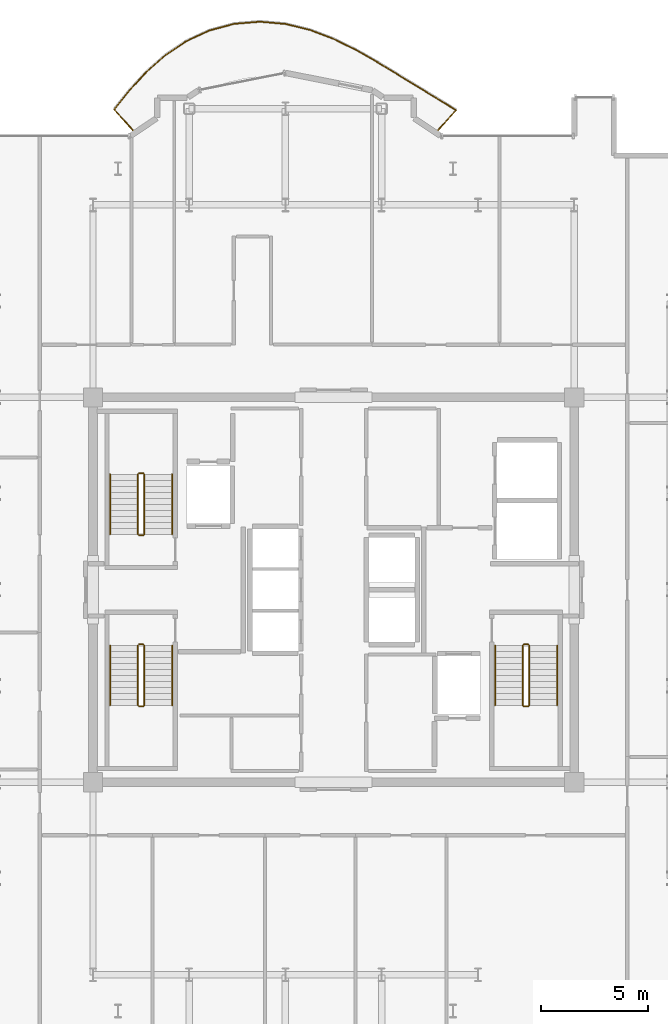
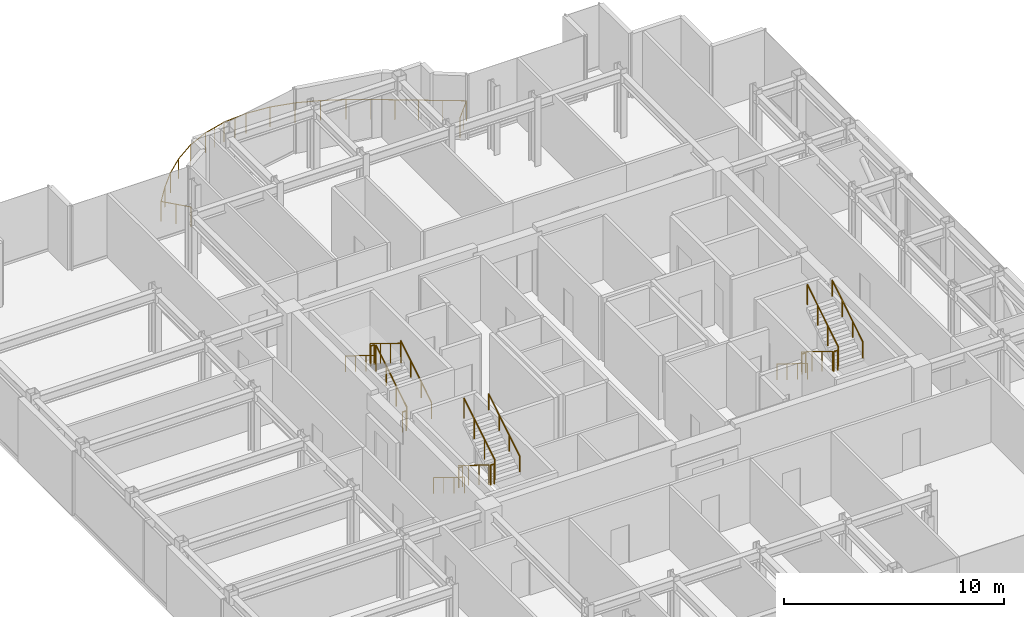
# One storey, part 16 of 16: 19 railings.
"""IFC4 building model written with IfcOpenShell, lengths in metres."""

from ifc_helpers import new_model, si_unit, direction, frame, origin, origin_2d, place, context, subcontext, project, spatial, circle, extrude, material, type_object, element, save


model = new_model("IFC4")

# Units and contexts
model_context = context("Model", 3, precision=1e-05, world=origin(), true_north=direction((0.0, 1.0)))
body_context = subcontext(model_context, "Body", "Model", "MODEL_VIEW")
ifc_project = project(units=[si_unit("LENGTHUNIT", "METRE"), si_unit("AREAUNIT", "SQUARE_METRE"), si_unit("VOLUMEUNIT", "CUBIC_METRE"), si_unit("PLANEANGLEUNIT", "RADIAN"), si_unit("MASSUNIT", "GRAM", prefix="KILO")], contexts=[model_context])

# Site, building, storey
site_placement = place(None, origin())
site = spatial("IfcSite", under=ifc_project, at=site_placement, CompositionType="ELEMENT")
building_placement = place(site_placement, origin())
building = spatial("IfcBuilding", under=site, at=building_placement, Name="Nefas-Gora Pilgrimage Tower", CompositionType="ELEMENT")
storey_placement = place(building_placement, frame((0.0, 0.0, 322.39990234375)))
storey = spatial("IfcBuildingStorey", under=building, at=storey_placement, Name="L81", CompositionType="ELEMENT", Elevation=322.39990234375)

# Railings
ifc_material_1 = material(Name="Laminated safety glass and stainless steel", Category="steel")
railing_type_1 = type_object("IfcRailingType", Name="RLG-BAL-1100", PredefinedType="BALUSTRADE", material=ifc_material_1)
railing_1_placement = place(storey_placement, frame((4.802490234375, 21.402587890625, 0.0)))
element("IfcRailing", 1, at=railing_1_placement, inside=storey, type_object=railing_type_1, Name="L81 Wave Balcony Balustrade N1", PredefinedType="BALUSTRADE", context=body_context, shape_type="SweptSolid", body=[
    extrude(circle(Radius=0.02392578125, at=origin_2d()), frame((0.0, 0.0, 1.09619140625), z_axis=(0.669217868333, 0.743066245165, 0.0), x_axis=(-0.743066245165, 0.669217868333, 0.0)), (0.0, 0.0, 1.0), 1.38525390625),
    extrude(circle(Radius=0.02392578125, at=origin_2d()), frame((0.927001953125, 1.029296875, 1.09619140625), z_axis=(-0.852658885571, 0.522468013238, 0.0), x_axis=(-0.522468013238, -0.852658885571, 0.0)), (0.0, 0.0, 1.0), 1.095703125),
    extrude(circle(Radius=0.02392578125, at=origin_2d()), frame((-0.00732421875, 1.601806640625, 1.09619140625), z_axis=(-0.855124780813, 0.518422230657, 0.0), x_axis=(-0.518422230657, -0.855124780813, 0.0)), (0.0, 0.0, 1.0), 1.077392578125),
    extrude(circle(Radius=0.02392578125, at=origin_2d()), frame((-0.9287109375, 2.160400390625, 1.09619140625), z_axis=(-0.852777131159, 0.522274989418, 0.0), x_axis=(-0.522274989418, -0.852777131159, 0.0)), (0.0, 0.0, 1.0), 1.076904296875),
    extrude(circle(Radius=0.02392578125, at=origin_2d()), frame((-1.84716796875, 2.722900390625, 1.09619140625), z_axis=(-0.854684994475, 0.519146954358, 0.0), x_axis=(-0.519146954358, -0.854684994475, 0.0)), (0.0, 0.0, 1.0), 1.09423828125),
    extrude(circle(Radius=0.02392578125, at=origin_2d()), frame((-2.782470703125, 3.291015625, 1.09619140625), z_axis=(-0.868857666147, 0.495061971856, 0.0), x_axis=(-0.495061971856, -0.868857666147, 0.0)), (0.0, 0.0, 1.0), 1.123291015625),
    extrude(circle(Radius=0.02392578125, at=origin_2d()), frame((-3.758544921875, 3.84716796875, 1.09619140625), z_axis=(-0.896659173932, 0.442721499142, 0.0), x_axis=(-0.442721499142, -0.896659173932, 0.0)), (0.0, 0.0, 1.0), 1.153564453125),
    extrude(circle(Radius=0.02392578125, at=origin_2d()), frame((-4.79296875, 4.35791015625, 1.09619140625), z_axis=(-0.934122957215, 0.356951398377, 0.0), x_axis=(-0.356951398377, -0.934122957215, 0.0)), (0.0, 0.0, 1.0), 1.178466796875),
    extrude(circle(Radius=0.02392578125, at=origin_2d()), frame((-5.893798828125, 4.778564453125, 1.09619140625), z_axis=(-0.97145249085, 0.237234183922, 0.0), x_axis=(-0.237234183922, -0.97145249085, 0.0)), (0.0, 0.0, 1.0), 1.192626953125),
    extrude(circle(Radius=0.02392578125, at=origin_2d()), frame((-7.052490234375, 5.0615234375, 1.09619140625), z_axis=(-0.99619460159, 0.087156845765, 0.0), x_axis=(-0.087156845765, -0.99619460159, 0.0)), (0.0, 0.0, 1.0), 1.198974609375),
    extrude(circle(Radius=0.02392578125, at=origin_2d()), frame((-8.246826171875, 5.166015625, 1.09619140625), z_axis=(-0.996586307441, -0.082557445587, 0.0), x_axis=(0.082557445587, -0.996586307441, 0.0)), (0.0, 0.0, 1.0), 1.20068359375),
    extrude(circle(Radius=0.02392578125, at=origin_2d()), frame((-9.443359375, 5.06689453125, 1.09619140625), z_axis=(-0.966180913081, -0.257865164763, 0.0), x_axis=(0.257865164763, -0.966180913081, 0.0)), (0.0, 0.0, 1.0), 1.200439453125),
    extrude(circle(Radius=0.02392578125, at=origin_2d()), frame((-10.603271484375, 4.75732421875, 1.09619140625), z_axis=(-0.907111664378, -0.420890043063, 0.0), x_axis=(0.420890043063, -0.907111664378, 0.0)), (0.0, 0.0, 1.0), 1.199462890625),
    extrude(circle(Radius=0.02392578125, at=origin_2d()), frame((-11.69140625, 4.25244140625, 1.09619140625), z_axis=(-0.829780590571, -0.558089752201, 0.0), x_axis=(0.558089752201, -0.829780590571, 0.0)), (0.0, 0.0, 1.0), 1.195068359375),
    extrude(circle(Radius=0.02392578125, at=origin_2d()), frame((-12.68310546875, 3.58544921875, 1.09619140625), z_axis=(-0.748330645695, -0.663325896308, 0.0), x_axis=(0.663325896308, -0.748330645695, 0.0)), (0.0, 0.0, 1.0), 1.183349609375),
    extrude(circle(Radius=0.02392578125, at=origin_2d()), frame((-13.568603515625, 2.800537109375, 1.09619140625), z_axis=(-0.676400344051, -0.736534163883, 0.0), x_axis=(0.736534163883, -0.676400344051, 0.0)), (0.0, 0.0, 1.0), 1.1611328125),
    extrude(circle(Radius=0.02392578125, at=origin_2d()), frame((-14.35400390625, 1.9453125, 1.09619140625), z_axis=(-0.624326656169, -0.781163380092, 0.0), x_axis=(0.781163380092, -0.624326656169, 0.0)), (0.0, 0.0, 1.0), 1.131591796875),
    extrude(circle(Radius=0.02392578125, at=origin_2d()), frame((-15.060546875, 1.061279296875, 1.09619140625), z_axis=(0.669125283262, -0.743149618381, 0.0), x_axis=(0.743149618381, 0.669125283262, 0.0)), (0.0, 0.0, 1.0), 1.427978515625),
    extrude(circle(Radius=0.02099609375, at=origin_2d()), origin(), (0.0, 0.0, 1.0), 1.072021484375),
    extrude(circle(Radius=0.02099609375, at=origin_2d()), frame((0.46337890625, 0.5146484375, 0.0)), (0.0, 0.0, 1.0), 1.072021484375),
    extrude(circle(Radius=0.02099609375, at=origin_2d()), frame((0.927001953125, 1.029296875, 0.0)), (0.0, 0.0, 1.0), 1.072021484375),
    extrude(circle(Radius=0.02099609375, at=origin_2d()), frame((-0.00732421875, 1.601806640625, 0.0)), (0.0, 0.0, 1.0), 1.072021484375),
    extrude(circle(Radius=0.02099609375, at=origin_2d()), frame((-0.9287109375, 2.160400390625, 0.0)), (0.0, 0.0, 1.0), 1.072021484375),
    extrude(circle(Radius=0.02099609375, at=origin_2d()), frame((-1.84716796875, 2.722900390625, 0.0)), (0.0, 0.0, 1.0), 1.072021484375),
    extrude(circle(Radius=0.02099609375, at=origin_2d()), frame((-2.782470703125, 3.291015625, 0.0)), (0.0, 0.0, 1.0), 1.072021484375),
    extrude(circle(Radius=0.02099609375, at=origin_2d()), frame((-3.758544921875, 3.84716796875, 0.0)), (0.0, 0.0, 1.0), 1.072021484375),
    extrude(circle(Radius=0.02099609375, at=origin_2d()), frame((-4.79296875, 4.35791015625, 0.0)), (0.0, 0.0, 1.0), 1.072021484375),
    extrude(circle(Radius=0.02099609375, at=origin_2d()), frame((-5.893798828125, 4.778564453125, 0.0)), (0.0, 0.0, 1.0), 1.072021484375),
    extrude(circle(Radius=0.02099609375, at=origin_2d()), frame((-7.052490234375, 5.0615234375, 0.0)), (0.0, 0.0, 1.0), 1.072021484375),
    extrude(circle(Radius=0.02099609375, at=origin_2d()), frame((-8.246826171875, 5.166015625, 0.0)), (0.0, 0.0, 1.0), 1.072021484375),
    extrude(circle(Radius=0.02099609375, at=origin_2d()), frame((-8.84521484375, 5.116455078125, 0.0)), (0.0, 0.0, 1.0), 1.072021484375),
    extrude(circle(Radius=0.02099609375, at=origin_2d()), frame((-9.443359375, 5.06689453125, 0.0)), (0.0, 0.0, 1.0), 1.072021484375),
    extrude(circle(Radius=0.02099609375, at=origin_2d()), frame((-10.0234375, 4.912109375, 0.0)), (0.0, 0.0, 1.0), 1.072021484375),
    extrude(circle(Radius=0.02099609375, at=origin_2d()), frame((-10.603271484375, 4.75732421875, 0.0)), (0.0, 0.0, 1.0), 1.072021484375),
    extrude(circle(Radius=0.02099609375, at=origin_2d()), frame((-11.69140625, 4.25244140625, 0.0)), (0.0, 0.0, 1.0), 1.072021484375),
    extrude(circle(Radius=0.02099609375, at=origin_2d()), frame((-12.68310546875, 3.58544921875, 0.0)), (0.0, 0.0, 1.0), 1.072021484375),
    extrude(circle(Radius=0.02099609375, at=origin_2d()), frame((-13.568603515625, 2.800537109375, 0.0)), (0.0, 0.0, 1.0), 1.072021484375),
    extrude(circle(Radius=0.02099609375, at=origin_2d()), frame((-14.35400390625, 1.9453125, 0.0)), (0.0, 0.0, 1.0), 1.072021484375),
    extrude(circle(Radius=0.02099609375, at=origin_2d()), frame((-15.060546875, 1.061279296875, 0.0)), (0.0, 0.0, 1.0), 1.072021484375),
    extrude(circle(Radius=0.02099609375, at=origin_2d()), frame((-14.582763671875, 0.53076171875, 0.0)), (0.0, 0.0, 1.0), 1.072021484375),
    extrude(circle(Radius=0.02099609375, at=origin_2d()), frame((-14.10498046875, 0.0, 0.0)), (0.0, 0.0, 1.0), 1.072021484375),
])
ifc_material_2 = material(Name="Painted galvanised steel", Category="steel")
railing_type_2 = type_object("IfcRailingType", Name="RLG-STR-GUARD-1100", PredefinedType="GUARDRAIL", material=ifc_material_2)
railing_2_placement = place(storey_placement, frame((-8.85009765625, 2.60009765625, 0.1728515625)))
element("IfcRailing", 2, at=railing_2_placement, inside=storey, type_object=railing_type_2, Name="L81 ST-01 stair guard 1", PredefinedType="GUARDRAIL", context=body_context, shape_type="SweptSolid", body=[
    extrude(circle(Radius=0.02392578125, at=origin_2d()), frame((0.0, 0.0, 1.09619140625), z_axis=(0.0, 0.851069175582, 0.525053576669), x_axis=(-1.0, 0.0, 0.0)), (0.0, 0.0, 1.0), 3.289794921875),
    extrude(circle(Radius=0.02099609375, at=origin_2d()), origin(), (0.0, 0.0, 1.0), 1.072021484375),
    extrude(circle(Radius=0.02099609375, at=origin_2d()), frame((0.0, 0.933349609375, 0.57568359375)), (0.0, 0.0, 1.0), 1.072021484375),
    extrude(circle(Radius=0.02099609375, at=origin_2d()), frame((0.0, 1.866455078125, 1.151611328125)), (0.0, 0.0, 1.0), 1.072021484375),
    extrude(circle(Radius=0.02099609375, at=origin_2d()), frame((0.0, 2.7998046875, 1.727294921875)), (0.0, 0.0, 1.0), 1.072021484375),
])
railing_3_placement = place(storey_placement, frame((-8.89990234375, 5.449951171875, 1.900146484375)))
element("IfcRailing", 3, at=railing_3_placement, inside=storey, type_object=railing_type_2, Name="L81 ST-01 stair guard 2", PredefinedType="GUARDRAIL", context=body_context, shape_type="SweptSolid", body=[
    extrude(circle(Radius=0.02392578125, at=origin_2d()), frame((0.0, 0.0, 1.09619140625), z_axis=(-1.0, 0.0, 0.0), x_axis=(0.0, -1.0, 0.0)), (0.0, 0.0, 1.0), 0.2001953125),
    extrude(circle(Radius=0.02099609375, at=origin_2d()), origin(), (0.0, 0.0, 1.0), 1.072021484375),
    extrude(circle(Radius=0.02099609375, at=origin_2d()), frame((-0.2001953125, 0.0, 0.0)), (0.0, 0.0, 1.0), 1.072021484375),
])
railing_4_placement = place(storey_placement, frame((-9.14990234375, 5.39990234375, 2.07275390625)))
element("IfcRailing", 4, at=railing_4_placement, inside=storey, type_object=railing_type_2, Name="L81 ST-01 stair guard 3", PredefinedType="GUARDRAIL", context=body_context, shape_type="SweptSolid", body=[
    extrude(circle(Radius=0.02392578125, at=origin_2d()), frame((0.0, 0.0, 1.09619140625), z_axis=(0.0, -0.851069175582, 0.525053576669), x_axis=(1.0, 0.0, 0.0)), (0.0, 0.0, 1.0), 3.289794921875),
    extrude(circle(Radius=0.02099609375, at=origin_2d()), origin(), (0.0, 0.0, 1.0), 1.072021484375),
    extrude(circle(Radius=0.02099609375, at=origin_2d()), frame((0.0, -0.933349609375, 0.57568359375)), (0.0, 0.0, 1.0), 1.072021484375),
    extrude(circle(Radius=0.02099609375, at=origin_2d()), frame((0.0, -1.866455078125, 1.151611328125)), (0.0, 0.0, 1.0), 1.072021484375),
    extrude(circle(Radius=0.02099609375, at=origin_2d()), frame((0.0, -2.7998046875, 1.727294921875)), (0.0, 0.0, 1.0), 1.072021484375),
])
railing_5_placement = place(storey_placement, frame((-8.89990234375, 2.550048828125, 0.0)))
element("IfcRailing", 5, at=railing_5_placement, inside=storey, type_object=railing_type_2, Name="L81 ST-01 stair guard 4", PredefinedType="GUARDRAIL", context=body_context, shape_type="SweptSolid", body=[
    extrude(circle(Radius=0.02392578125, at=origin_2d()), frame((0.0, 0.0, 1.09619140625), z_axis=(-1.0, 0.0, 0.0), x_axis=(0.0, -1.0, 0.0)), (0.0, 0.0, 1.0), 0.2001953125),
    extrude(circle(Radius=0.02099609375, at=origin_2d()), origin(), (0.0, 0.0, 1.0), 1.072021484375),
    extrude(circle(Radius=0.02099609375, at=origin_2d()), frame((-0.2001953125, 0.0, 0.0)), (0.0, 0.0, 1.0), 1.072021484375),
])
railing_6_placement = place(storey_placement, frame((8.85009765625, -2.60009765625, 0.1728515625)))
element("IfcRailing", 6, at=railing_6_placement, inside=storey, type_object=railing_type_2, Name="L81 ST-02 stair guard 1", PredefinedType="GUARDRAIL", context=body_context, shape_type="SweptSolid", body=[
    extrude(circle(Radius=0.02392578125, at=origin_2d()), frame((0.0, 0.0, 1.09619140625), z_axis=(0.0, -0.851069175582, 0.525053576669), x_axis=(1.0, 0.0, 0.0)), (0.0, 0.0, 1.0), 3.289794921875),
    extrude(circle(Radius=0.02099609375, at=origin_2d()), origin(), (0.0, 0.0, 1.0), 1.072021484375),
    extrude(circle(Radius=0.02099609375, at=origin_2d()), frame((0.0, -0.933349609375, 0.57568359375)), (0.0, 0.0, 1.0), 1.072021484375),
    extrude(circle(Radius=0.02099609375, at=origin_2d()), frame((0.0, -1.866455078125, 1.151611328125)), (0.0, 0.0, 1.0), 1.072021484375),
    extrude(circle(Radius=0.02099609375, at=origin_2d()), frame((0.0, -2.7998046875, 1.727294921875)), (0.0, 0.0, 1.0), 1.072021484375),
])
railing_7_placement = place(storey_placement, frame((8.89990234375, -5.449951171875, 1.900146484375)))
element("IfcRailing", 7, at=railing_7_placement, inside=storey, type_object=railing_type_2, Name="L81 ST-02 stair guard 2", PredefinedType="GUARDRAIL", context=body_context, shape_type="SweptSolid", body=[
    extrude(circle(Radius=0.02392578125, at=origin_2d()), frame((0.0, 0.0, 1.09619140625), z_axis=(1.0, 0.0, 0.0), x_axis=(0.0, 1.0, 0.0)), (0.0, 0.0, 1.0), 0.2001953125),
    extrude(circle(Radius=0.02099609375, at=origin_2d()), origin(), (0.0, 0.0, 1.0), 1.072021484375),
    extrude(circle(Radius=0.02099609375, at=origin_2d()), frame((0.2001953125, 0.0, 0.0)), (0.0, 0.0, 1.0), 1.072021484375),
])
railing_8_placement = place(storey_placement, frame((9.14990234375, -5.39990234375, 2.07275390625)))
element("IfcRailing", 8, at=railing_8_placement, inside=storey, type_object=railing_type_2, Name="L81 ST-02 stair guard 3", PredefinedType="GUARDRAIL", context=body_context, shape_type="SweptSolid", body=[
    extrude(circle(Radius=0.02392578125, at=origin_2d()), frame((0.0, 0.0, 1.09619140625), z_axis=(0.0, 0.851069175582, 0.525053576669), x_axis=(-1.0, 0.0, 0.0)), (0.0, 0.0, 1.0), 3.289794921875),
    extrude(circle(Radius=0.02099609375, at=origin_2d()), origin(), (0.0, 0.0, 1.0), 1.072021484375),
    extrude(circle(Radius=0.02099609375, at=origin_2d()), frame((0.0, 0.933349609375, 0.57568359375)), (0.0, 0.0, 1.0), 1.072021484375),
    extrude(circle(Radius=0.02099609375, at=origin_2d()), frame((0.0, 1.866455078125, 1.151611328125)), (0.0, 0.0, 1.0), 1.072021484375),
    extrude(circle(Radius=0.02099609375, at=origin_2d()), frame((0.0, 2.7998046875, 1.727294921875)), (0.0, 0.0, 1.0), 1.072021484375),
])
railing_9_placement = place(storey_placement, frame((8.89990234375, -2.550048828125, 0.0)))
element("IfcRailing", 9, at=railing_9_placement, inside=storey, type_object=railing_type_2, Name="L81 ST-02 stair guard 4", PredefinedType="GUARDRAIL", context=body_context, shape_type="SweptSolid", body=[
    extrude(circle(Radius=0.02392578125, at=origin_2d()), frame((0.0, 0.0, 1.09619140625), z_axis=(1.0, 0.0, 0.0), x_axis=(0.0, 1.0, 0.0)), (0.0, 0.0, 1.0), 0.2001953125),
    extrude(circle(Radius=0.02099609375, at=origin_2d()), origin(), (0.0, 0.0, 1.0), 1.072021484375),
    extrude(circle(Radius=0.02099609375, at=origin_2d()), frame((0.2001953125, 0.0, 0.0)), (0.0, 0.0, 1.0), 1.072021484375),
])
railing_10_placement = place(storey_placement, frame((-9.14990234375, -2.60009765625, 0.1728515625)))
element("IfcRailing", 10, at=railing_10_placement, inside=storey, type_object=railing_type_2, Name="L81 ST-03 stair guard 1", PredefinedType="GUARDRAIL", context=body_context, shape_type="SweptSolid", body=[
    extrude(circle(Radius=0.02392578125, at=origin_2d()), frame((0.0, 0.0, 1.09619140625), z_axis=(0.0, -0.851069175582, 0.525053576669), x_axis=(1.0, 0.0, 0.0)), (0.0, 0.0, 1.0), 3.289794921875),
    extrude(circle(Radius=0.02099609375, at=origin_2d()), origin(), (0.0, 0.0, 1.0), 1.072021484375),
    extrude(circle(Radius=0.02099609375, at=origin_2d()), frame((0.0, -0.933349609375, 0.57568359375)), (0.0, 0.0, 1.0), 1.072021484375),
    extrude(circle(Radius=0.02099609375, at=origin_2d()), frame((0.0, -1.866455078125, 1.151611328125)), (0.0, 0.0, 1.0), 1.072021484375),
    extrude(circle(Radius=0.02099609375, at=origin_2d()), frame((0.0, -2.7998046875, 1.727294921875)), (0.0, 0.0, 1.0), 1.072021484375),
])
railing_11_placement = place(storey_placement, frame((-9.10009765625, -5.449951171875, 1.900146484375)))
element("IfcRailing", 11, at=railing_11_placement, inside=storey, type_object=railing_type_2, Name="L81 ST-03 stair guard 2", PredefinedType="GUARDRAIL", context=body_context, shape_type="SweptSolid", body=[
    extrude(circle(Radius=0.02392578125, at=origin_2d()), frame((0.0, 0.0, 1.09619140625), z_axis=(1.0, 0.0, 0.0), x_axis=(0.0, 1.0, 0.0)), (0.0, 0.0, 1.0), 0.2001953125),
    extrude(circle(Radius=0.02099609375, at=origin_2d()), origin(), (0.0, 0.0, 1.0), 1.072021484375),
    extrude(circle(Radius=0.02099609375, at=origin_2d()), frame((0.2001953125, 0.0, 0.0)), (0.0, 0.0, 1.0), 1.072021484375),
])
railing_12_placement = place(storey_placement, frame((-8.85009765625, -5.39990234375, 2.07275390625)))
element("IfcRailing", 12, at=railing_12_placement, inside=storey, type_object=railing_type_2, Name="L81 ST-03 stair guard 3", PredefinedType="GUARDRAIL", context=body_context, shape_type="SweptSolid", body=[
    extrude(circle(Radius=0.02392578125, at=origin_2d()), frame((0.0, 0.0, 1.09619140625), z_axis=(0.0, 0.851069175582, 0.525053576669), x_axis=(-1.0, 0.0, 0.0)), (0.0, 0.0, 1.0), 3.289794921875),
    extrude(circle(Radius=0.02099609375, at=origin_2d()), origin(), (0.0, 0.0, 1.0), 1.072021484375),
    extrude(circle(Radius=0.02099609375, at=origin_2d()), frame((0.0, 0.933349609375, 0.57568359375)), (0.0, 0.0, 1.0), 1.072021484375),
    extrude(circle(Radius=0.02099609375, at=origin_2d()), frame((0.0, 1.866455078125, 1.151611328125)), (0.0, 0.0, 1.0), 1.072021484375),
    extrude(circle(Radius=0.02099609375, at=origin_2d()), frame((0.0, 2.7998046875, 1.727294921875)), (0.0, 0.0, 1.0), 1.072021484375),
])
railing_13_placement = place(storey_placement, frame((-9.10009765625, -2.550048828125, 0.0)))
element("IfcRailing", 13, at=railing_13_placement, inside=storey, type_object=railing_type_2, Name="L81 ST-03 stair guard 4", PredefinedType="GUARDRAIL", context=body_context, shape_type="SweptSolid", body=[
    extrude(circle(Radius=0.02392578125, at=origin_2d()), frame((0.0, 0.0, 1.09619140625), z_axis=(1.0, 0.0, 0.0), x_axis=(0.0, 1.0, 0.0)), (0.0, 0.0, 1.0), 0.2001953125),
    extrude(circle(Radius=0.02099609375, at=origin_2d()), origin(), (0.0, 0.0, 1.0), 1.072021484375),
    extrude(circle(Radius=0.02099609375, at=origin_2d()), frame((0.2001953125, 0.0, 0.0)), (0.0, 0.0, 1.0), 1.072021484375),
])
ifc_material_3 = material(Name="Brushed stainless steel", Category="steel")
railing_type_3 = type_object("IfcRailingType", Name="RLG-STR-HAND-900", PredefinedType="HANDRAIL", material=ifc_material_3)
railing_14_placement = place(storey_placement, frame((-7.550048828125, 2.60009765625, 0.1728515625)))
element("IfcRailing", 14, at=railing_14_placement, inside=storey, type_object=railing_type_3, Name="L81 ST-01 stair handrail 1", PredefinedType="HANDRAIL", context=body_context, shape_type="SweptSolid", body=[
    extrude(circle(Radius=0.02392578125, at=origin_2d()), frame((0.0, 0.0, 0.8759765625), z_axis=(0.0, 0.851069175582, 0.525053576669), x_axis=(-1.0, 0.0, 0.0)), (0.0, 0.0, 1.0), 3.289794921875),
    extrude(circle(Radius=0.02099609375, at=origin_2d()), origin(), (0.0, 0.0, 1.0), 0.851806640625),
    extrude(circle(Radius=0.02099609375, at=origin_2d()), frame((0.0, 0.933349609375, 0.57568359375)), (0.0, 0.0, 1.0), 0.851806640625),
    extrude(circle(Radius=0.02099609375, at=origin_2d()), frame((0.0, 1.866455078125, 1.151611328125)), (0.0, 0.0, 1.0), 0.851806640625),
    extrude(circle(Radius=0.02099609375, at=origin_2d()), frame((0.0, 2.7998046875, 1.727294921875)), (0.0, 0.0, 1.0), 0.851806640625),
])
for number, where, name in (
    (15, (-10.449951171875, 5.39990234375, 2.07275390625), "L81 ST-01 stair handrail 2"),
    (16, (7.550048828125, -2.60009765625, 0.1728515625), "L81 ST-02 stair handrail 1"),
):
    element("IfcRailing", number, at=place(storey_placement, frame(where)), inside=storey, type_object=railing_type_3, Name=name, PredefinedType="HANDRAIL", context=body_context, shape_type="SweptSolid", body=[
        extrude(circle(Radius=0.02392578125, at=origin_2d()), frame((0.0, 0.0, 0.8759765625), z_axis=(0.0, -0.851069175582, 0.525053576669), x_axis=(1.0, 0.0, 0.0)), (0.0, 0.0, 1.0), 3.289794921875),
        extrude(circle(Radius=0.02099609375, at=origin_2d()), origin(), (0.0, 0.0, 1.0), 0.851806640625),
        extrude(circle(Radius=0.02099609375, at=origin_2d()), frame((0.0, -0.933349609375, 0.57568359375)), (0.0, 0.0, 1.0), 0.851806640625),
        extrude(circle(Radius=0.02099609375, at=origin_2d()), frame((0.0, -1.866455078125, 1.151611328125)), (0.0, 0.0, 1.0), 0.851806640625),
        extrude(circle(Radius=0.02099609375, at=origin_2d()), frame((0.0, -2.7998046875, 1.727294921875)), (0.0, 0.0, 1.0), 0.851806640625),
    ])
railing_15_placement = place(storey_placement, frame((10.449951171875, -5.39990234375, 2.07275390625)))
element("IfcRailing", 17, at=railing_15_placement, inside=storey, type_object=railing_type_3, Name="L81 ST-02 stair handrail 2", PredefinedType="HANDRAIL", context=body_context, shape_type="SweptSolid", body=[
    extrude(circle(Radius=0.02392578125, at=origin_2d()), frame((0.0, 0.0, 0.8759765625), z_axis=(0.0, 0.851069175582, 0.525053576669), x_axis=(-1.0, 0.0, 0.0)), (0.0, 0.0, 1.0), 3.289794921875),
    extrude(circle(Radius=0.02099609375, at=origin_2d()), origin(), (0.0, 0.0, 1.0), 0.851806640625),
    extrude(circle(Radius=0.02099609375, at=origin_2d()), frame((0.0, 0.933349609375, 0.57568359375)), (0.0, 0.0, 1.0), 0.851806640625),
    extrude(circle(Radius=0.02099609375, at=origin_2d()), frame((0.0, 1.866455078125, 1.151611328125)), (0.0, 0.0, 1.0), 0.851806640625),
    extrude(circle(Radius=0.02099609375, at=origin_2d()), frame((0.0, 2.7998046875, 1.727294921875)), (0.0, 0.0, 1.0), 0.851806640625),
])
railing_16_placement = place(storey_placement, frame((-10.449951171875, -2.60009765625, 0.1728515625)))
element("IfcRailing", 18, at=railing_16_placement, inside=storey, type_object=railing_type_3, Name="L81 ST-03 stair handrail 1", PredefinedType="HANDRAIL", context=body_context, shape_type="SweptSolid", body=[
    extrude(circle(Radius=0.02392578125, at=origin_2d()), frame((0.0, 0.0, 0.8759765625), z_axis=(0.0, -0.851069175582, 0.525053576669), x_axis=(1.0, 0.0, 0.0)), (0.0, 0.0, 1.0), 3.289794921875),
    extrude(circle(Radius=0.02099609375, at=origin_2d()), origin(), (0.0, 0.0, 1.0), 0.851806640625),
    extrude(circle(Radius=0.02099609375, at=origin_2d()), frame((0.0, -0.933349609375, 0.57568359375)), (0.0, 0.0, 1.0), 0.851806640625),
    extrude(circle(Radius=0.02099609375, at=origin_2d()), frame((0.0, -1.866455078125, 1.151611328125)), (0.0, 0.0, 1.0), 0.851806640625),
    extrude(circle(Radius=0.02099609375, at=origin_2d()), frame((0.0, -2.7998046875, 1.727294921875)), (0.0, 0.0, 1.0), 0.851806640625),
])
railing_17_placement = place(storey_placement, frame((-7.550048828125, -5.39990234375, 2.07275390625)))
element("IfcRailing", 19, at=railing_17_placement, inside=storey, type_object=railing_type_3, Name="L81 ST-03 stair handrail 2", PredefinedType="HANDRAIL", context=body_context, shape_type="SweptSolid", body=[
    extrude(circle(Radius=0.02392578125, at=origin_2d()), frame((0.0, 0.0, 0.8759765625), z_axis=(0.0, 0.851069175582, 0.525053576669), x_axis=(-1.0, 0.0, 0.0)), (0.0, 0.0, 1.0), 3.289794921875),
    extrude(circle(Radius=0.02099609375, at=origin_2d()), origin(), (0.0, 0.0, 1.0), 0.851806640625),
    extrude(circle(Radius=0.02099609375, at=origin_2d()), frame((0.0, 0.933349609375, 0.57568359375)), (0.0, 0.0, 1.0), 0.851806640625),
    extrude(circle(Radius=0.02099609375, at=origin_2d()), frame((0.0, 1.866455078125, 1.151611328125)), (0.0, 0.0, 1.0), 0.851806640625),
    extrude(circle(Radius=0.02099609375, at=origin_2d()), frame((0.0, 2.7998046875, 1.727294921875)), (0.0, 0.0, 1.0), 0.851806640625),
])

save(model, "model.ifc")
